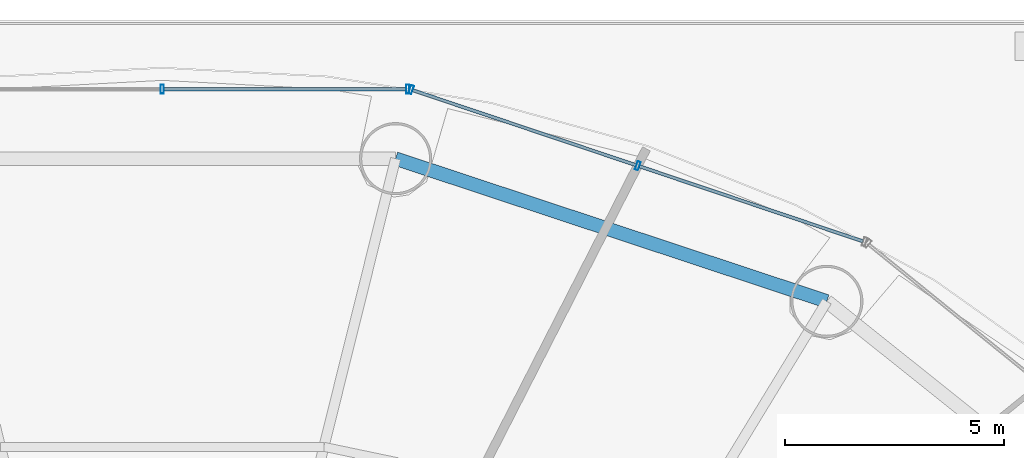
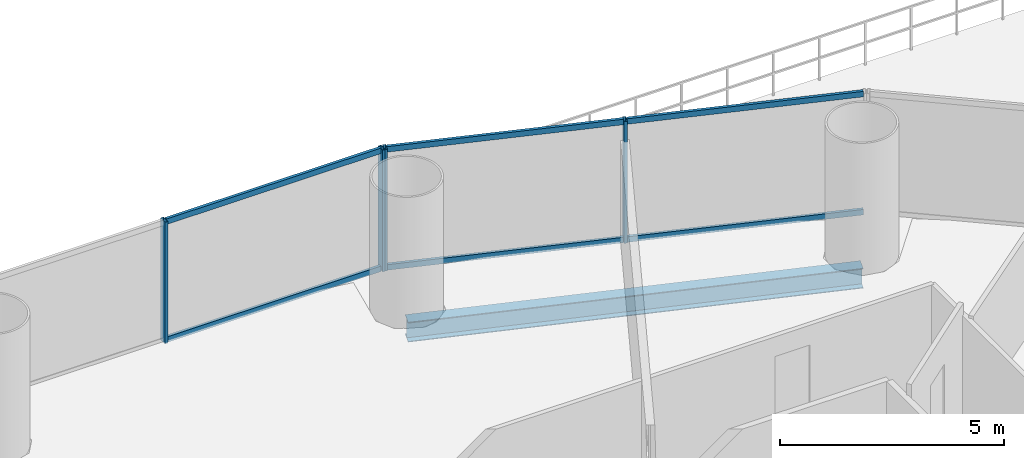
# One storey, part 26 of 37: 10 members, 1 beam, 2 elements without a shape of their own.
"""IFC4 building model written with IfcOpenShell, lengths in metres."""

from ifc_helpers import new_model, si_unit, direction, frame, origin, origin_2d, place, context, subcontext, project, spatial, hollow_rectangle, i_section, extrude, source, transform, mapped, material, material_profile, profile_set, type_object, element, aggregate, save


model = new_model("IFC4")

# Units and contexts
model_context = context("Model", 3, precision=1e-05, world=origin(), true_north=direction((-0.2419218956, 0.970295726276)))
body_context = subcontext(model_context, "Body", "Model", "MODEL_VIEW")
ifc_project = project(units=[si_unit("LENGTHUNIT", "METRE"), si_unit("AREAUNIT", "SQUARE_METRE"), si_unit("VOLUMEUNIT", "CUBIC_METRE"), si_unit("PLANEANGLEUNIT", "RADIAN"), si_unit("MASSUNIT", "GRAM", prefix="KILO")], contexts=[model_context])

# Site, building, storey
site_placement = place(None, origin())
site = spatial("IfcSite", under=ifc_project, at=site_placement, CompositionType="ELEMENT")
building_placement = place(site_placement, origin())
building = spatial("IfcBuilding", under=site, at=building_placement, Name="Cobrevalo Terracotta Tower", CompositionType="ELEMENT")
storey_placement = place(building_placement, frame((0.0, 0.0, 24.0)))
storey = spatial("IfcBuildingStorey", under=building, at=storey_placement, Name="L05", CompositionType="ELEMENT", Elevation=24.0)

# Beam
ifc_material_1 = material(Name="Steel S355", Category="steel")
ifc_material_profile_1 = material_profile(ifc_material_1, i_section(OverallWidth=0.31201171875, OverallDepth=0.54296875, WebThickness=0.0126953125, FlangeThickness=0.020263671875, at=origin_2d()), Name="W 530x150")
ifc_profile_set_1 = profile_set([ifc_material_profile_1], Name="Steel S355")
beam_type = type_object("IfcBeamType", Name="Structural Spandrel W 530x150 (Steel S355)", PredefinedType="SPANDREL", material=ifc_profile_set_1)
beam_placement = place(storey_placement, frame((53.19482421875, 44.967529296875, -0.551513671875), z_axis=(-0.949365190876, 0.314174687638, 0.0), x_axis=(-0.314174687638, -0.949365190876, 0.0)))
element("IfcBeam", 1, at=beam_placement, inside=storey, type_object=beam_type, Name="L05 perimeter ring spandrel 03", PredefinedType="SPANDREL", context=body_context, shape_type="SweptSolid", body=[
    extrude(i_section(OverallWidth=0.31201171875, OverallDepth=0.54296875, WebThickness=0.0126953125, FlangeThickness=0.020263671875, at=origin_2d()), origin(), (0.0, 0.0, 1.0), 10.385009765625),
])

# Curtain wall, members
ifc_material_2 = material(Name="Anodized aluminium", Category="aluminium")
curtain_wall_type = type_object("IfcCurtainWallType", Name="Lower-tower unitised acoustic low-E curtain wall CW-U1", PredefinedType="NOTDEFINED", material=ifc_material_2)
curtain_wall_1_placement = place(storey_placement, origin())
curtain_wall_1 = element("IfcCurtainWall", 2, at=curtain_wall_1_placement, inside=storey, type_object=curtain_wall_type, Name="L05 curtain wall CW-L05-S03", PredefinedType="NOTDEFINED")
ifc_material_profile_2 = material_profile(ifc_material_2, hollow_rectangle(XDim=0.074951171875, YDim=0.199951171875, WallThickness=0.0048828125, at=origin_2d()), Name="CWM 75x200")
ifc_profile_set_2 = profile_set([ifc_material_profile_2], Name="Anodized aluminium")
member_type_1 = type_object("IfcMemberType", Name="Lower/mid tower unitised mullion 75x200", PredefinedType="MULLION", material=ifc_profile_set_2)
shared_shape_1 = source(origin(), body_context, "Body", "SweptSolid", [
    extrude(hollow_rectangle(XDim=0.074951171875, YDim=0.199951171875, WallThickness=0.0048828125, at=origin_2d()), origin(), (0.0, 0.0, 1.0), 3.320068359375),
])
member_1_placement = place(storey_placement, frame((48.873291015625, 48.06689453125, 0.0), z_axis=(0.0, 0.0, 1.0), x_axis=(-0.948046393597, 0.318132103987, 0.0)))
member_1 = element("IfcMember", 3, at=member_1_placement, type_object=member_type_1, Name="CW-L05-S03 vertical mullion 02", PredefinedType="MULLION", context=body_context, shape_type="MappedRepresentation", body=[
    mapped(shared_shape_1, transform((0.0, 0.0, 0.0), scale=1.0)),
])
member_2_placement = place(storey_placement, frame((43.689697265625, 49.806396484375, 0.0), z_axis=(0.0, 0.0, 1.0), x_axis=(-0.948046393597, 0.318132103987, 0.0)))
member_2 = element("IfcMember", 4, at=member_2_placement, type_object=member_type_1, Name="CW-L05-S03 vertical mullion 03", PredefinedType="MULLION", context=body_context, shape_type="MappedRepresentation", body=[
    mapped(shared_shape_1, transform((0.0, 0.0, 0.0), scale=1.0)),
])

curtain_wall_2_placement = place(storey_placement, origin())
curtain_wall_2 = element("IfcCurtainWall", 5, at=curtain_wall_2_placement, inside=storey, type_object=curtain_wall_type, Name="L05 curtain wall CW-L05-S04", PredefinedType="NOTDEFINED")
member_3_placement = place(storey_placement, frame((43.61181640625, 49.819091796875, 0.0), z_axis=(0.0, 0.0, 1.0), x_axis=(-1.0, 0.0, 0.0)))
member_3 = element("IfcMember", 6, at=member_3_placement, type_object=member_type_1, Name="CW-L05-S04 vertical mullion 01", PredefinedType="MULLION", context=body_context, shape_type="MappedRepresentation", body=[
    mapped(shared_shape_1, transform((0.0, 0.0, 0.0), scale=1.0)),
])
member_4_placement = place(storey_placement, frame((38.0, 49.819091796875, 0.0), z_axis=(0.0, 0.0, 1.0), x_axis=(-1.0, 0.0, 0.0)))
member_4 = element("IfcMember", 7, at=member_4_placement, type_object=member_type_1, Name="CW-L05-S04 vertical mullion 02", PredefinedType="MULLION", context=body_context, shape_type="MappedRepresentation", body=[
    mapped(shared_shape_1, transform((0.0, 0.0, 0.0), scale=1.0)),
])

# Member
ifc_material_profile_3 = material_profile(ifc_material_2, hollow_rectangle(XDim=0.074951171875, YDim=0.14990234375, WallThickness=0.00439453125, at=origin_2d()), Name="CWT 75x150")
ifc_profile_set_3 = profile_set([ifc_material_profile_3], Name="Anodized aluminium")
member_type_2 = type_object("IfcMemberType", Name="Tower unitised aluminium transom 75x150", PredefinedType="USERDEFINED", material=ifc_profile_set_3)
shared_shape_2 = source(origin(), body_context, "Body", "SweptSolid", [
    extrude(hollow_rectangle(XDim=0.074951171875, YDim=0.14990234375, WallThickness=0.00439453125, at=origin_2d()), origin(), (0.0, 0.0, 1.0), 5.387939453125),
])
member_5_placement = place(storey_placement, frame((54.01904296875, 46.340087890625, 0.050048828125), z_axis=(-0.94804244582, 0.318143868278, 0.0), x_axis=(-0.318143868278, -0.94804244582, 0.0)))
member_5 = element("IfcMember", 8, at=member_5_placement, type_object=member_type_2, Name="CW-L05-S03 transom B01-T1", ObjectType="TRANSOM", PredefinedType="USERDEFINED", context=body_context, shape_type="MappedRepresentation", body=[
    mapped(shared_shape_2, transform((0.0, 0.0, 0.0), scale=1.0)),
])

member_6_placement = place(storey_placement, frame((54.01904296875, 46.340087890625, 3.27001953125), z_axis=(-0.94804244582, 0.318143868278, 0.0), x_axis=(-0.318143868278, -0.94804244582, 0.0)))
member_6 = element("IfcMember", 9, at=member_6_placement, type_object=member_type_2, Name="CW-L05-S03 transom B01-T2", ObjectType="TRANSOM", PredefinedType="USERDEFINED", context=body_context, shape_type="MappedRepresentation", body=[
    mapped(shared_shape_2, transform((0.0, 0.0, 0.0), scale=1.0)),
])

member_7_placement = place(storey_placement, frame((48.83544921875, 48.07958984375, 0.050048828125), z_axis=(-0.94804244582, 0.318143868278, 0.0), x_axis=(-0.318143868278, -0.94804244582, 0.0)))
member_7 = element("IfcMember", 10, at=member_7_placement, type_object=member_type_2, Name="CW-L05-S03 transom B02-T1", ObjectType="TRANSOM", PredefinedType="USERDEFINED", context=body_context, shape_type="MappedRepresentation", body=[
    mapped(shared_shape_2, transform((0.0, 0.0, 0.0), scale=1.0)),
])

member_8_placement = place(storey_placement, frame((48.83544921875, 48.07958984375, 3.27001953125), z_axis=(-0.94804244582, 0.318143868278, 0.0), x_axis=(-0.318143868278, -0.94804244582, 0.0)))
member_8 = element("IfcMember", 11, at=member_8_placement, type_object=member_type_2, Name="CW-L05-S03 transom B02-T2", ObjectType="TRANSOM", PredefinedType="USERDEFINED", context=body_context, shape_type="MappedRepresentation", body=[
    mapped(shared_shape_2, transform((0.0, 0.0, 0.0), scale=1.0)),
])

aggregate(curtain_wall_1, [member_1, member_2, member_5, member_6, member_7, member_8])

shared_shape_3 = source(origin(), body_context, "Body", "SweptSolid", [
    extrude(hollow_rectangle(XDim=0.074951171875, YDim=0.14990234375, WallThickness=0.00439453125, at=origin_2d()), origin(), (0.0, 0.0, 1.0), 5.53173828125),
])
member_9_placement = place(storey_placement, frame((43.57177734375, 49.819091796875, 0.050048828125), z_axis=(-1.0, 0.0, 0.0), x_axis=(0.0, -1.0, 0.0)))
member_9 = element("IfcMember", 12, at=member_9_placement, type_object=member_type_2, Name="CW-L05-S04 transom B01-T1", ObjectType="TRANSOM", PredefinedType="USERDEFINED", context=body_context, shape_type="MappedRepresentation", body=[
    mapped(shared_shape_3, transform((0.0, 0.0, 0.0), scale=1.0)),
])

member_10_placement = place(storey_placement, frame((43.57177734375, 49.819091796875, 3.27001953125), z_axis=(-1.0, 0.0, 0.0), x_axis=(0.0, -1.0, 0.0)))
member_10 = element("IfcMember", 13, at=member_10_placement, type_object=member_type_2, Name="CW-L05-S04 transom B01-T2", ObjectType="TRANSOM", PredefinedType="USERDEFINED", context=body_context, shape_type="MappedRepresentation", body=[
    mapped(shared_shape_3, transform((0.0, 0.0, 0.0), scale=1.0)),
])

aggregate(curtain_wall_2, [member_3, member_4, member_9, member_10])

save(model, "model.ifc")
